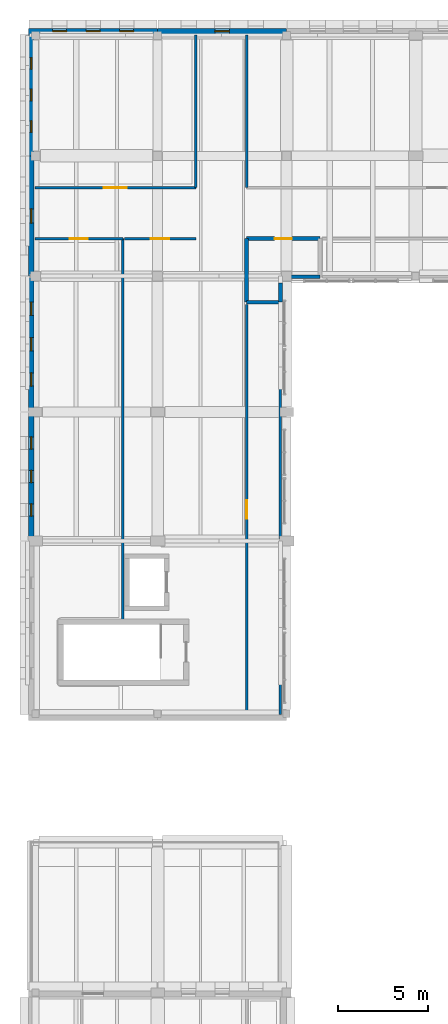
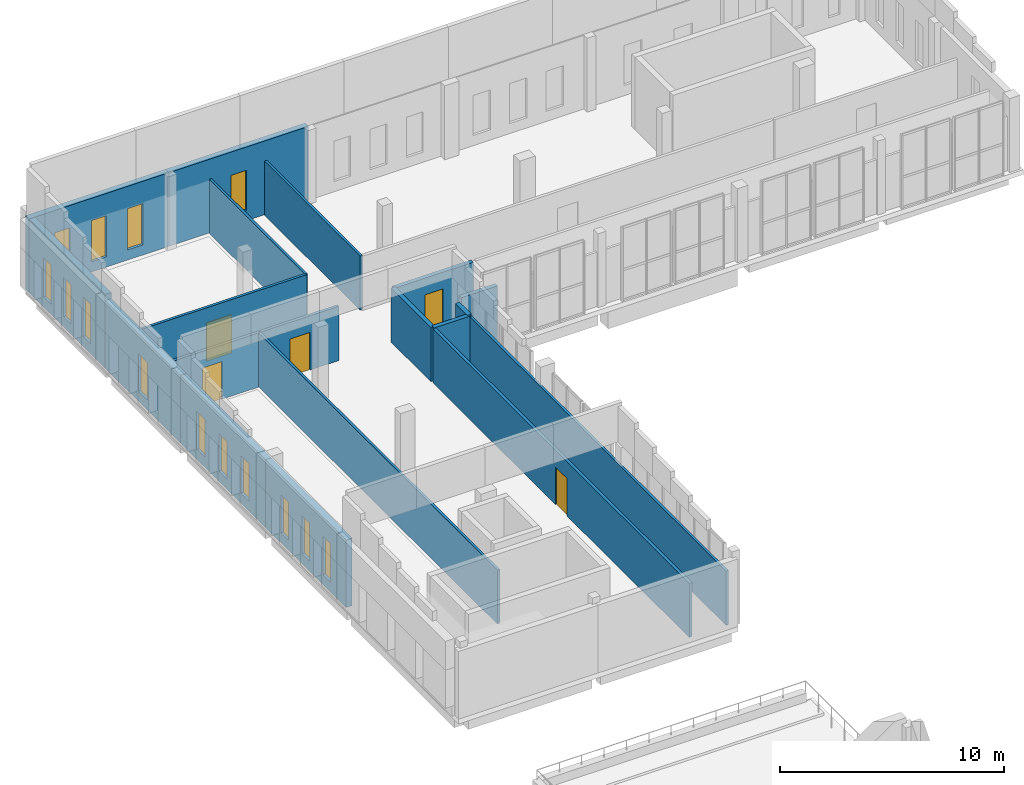
# One storey, part 23 of 34: 19 walls, 14 windows, 5 doors, 19 openings.
"""IFC4 building model written with IfcOpenShell, lengths in metres."""

from ifc_helpers import new_model, si_unit, direction, frame, frame_2d, origin, place, context, subcontext, project, spatial, rectangle, extrude, material, layer, layer_set, type_object, element, fill, save


model = new_model("IFC4")

# Units and contexts
model_context = context("Model", 3, precision=1e-05, world=origin(), true_north=direction((0.0, 1.0)))
body_context = subcontext(model_context, "Body", "Model", "MODEL_VIEW")
ifc_project = project(units=[si_unit("LENGTHUNIT", "METRE"), si_unit("AREAUNIT", "SQUARE_METRE"), si_unit("VOLUMEUNIT", "CUBIC_METRE"), si_unit("PLANEANGLEUNIT", "RADIAN"), si_unit("MASSUNIT", "GRAM", prefix="KILO")], contexts=[model_context])

# Site, building, storey
site_placement = place(None, origin())
site = spatial("IfcSite", under=ifc_project, at=site_placement, CompositionType="ELEMENT")
building_placement = place(site_placement, origin())
building = spatial("IfcBuilding", under=site, at=building_placement, Name="Vardoun Plaza Health Centre", CompositionType="ELEMENT")
storey_placement = place(building_placement, frame((0.0, 0.0, 12.89990234375)))
storey = spatial("IfcBuildingStorey", under=building, at=storey_placement, Name="L03", CompositionType="ELEMENT", Elevation=12.89990234375)

# Wall, openings, windows
ifc_material_1 = material(Name="Pale Limestone Concrete C35/45", Category="masonry")
ifc_layer_1 = layer(ifc_material_1, 0.31494140625)
ifc_layer_set_1 = layer_set([ifc_layer_1], Name="Pale Limestone Concrete C35/45")
wall_type_1 = type_object("IfcWallType", Name="EW-03", PredefinedType="SOLIDWALL", material=ifc_layer_set_1)
wall_1_placement = place(storey_placement, frame((4.5, 115.142578125, 0.0), z_axis=(0.0, 0.0, 1.0), x_axis=(1.0, 0.0, 0.0)))
wall_1 = element("IfcWall", 1, at=wall_1_placement, inside=storey, type_object=wall_type_1, Name="V3 L03 Exterior Wall EW-V3-289", PredefinedType="SOLIDWALL", context=body_context, shape_type="SweptSolid", body=[
    extrude(rectangle(XDim=7.199951171875, YDim=0.31494140625, at=frame_2d((3.60009765625, 0.0))), origin(), (0.0, 0.0, 1.0), 4.01513671875),
])
opening_1_placement = place(wall_1_placement, frame((1.337890625, 0.0, 0.550048828125)))
opening_1 = element("IfcOpeningElement", 2, at=opening_1_placement, cuts=wall_1, Name="Opening W-06-010", PredefinedType="OPENING", context=body_context, shape_type="SweptSolid", body=[
    extrude(rectangle(XDim=0.780029296875, YDim=2.25, at=frame_2d((0.39013671875, 1.125))), frame((0.0, 0.157470703125, 0.0), z_axis=(0.0, -1.0, 0.0), x_axis=(1.0, 0.0, 0.0)), (0.0, 0.0, 1.0), 0.31494140625),
])
opening_2_placement = place(wall_1_placement, frame((3.2099609375, 0.0, 0.550048828125)))
opening_2 = element("IfcOpeningElement", 3, at=opening_2_placement, cuts=wall_1, Name="Opening W-06-011", PredefinedType="OPENING", context=body_context, shape_type="SweptSolid", body=[
    extrude(rectangle(XDim=0.780029296875, YDim=2.25, at=frame_2d((0.39013671875, 1.125))), frame((0.0, 0.157470703125, 0.0), z_axis=(0.0, -1.0, 0.0), x_axis=(1.0, 0.0, 0.0)), (0.0, 0.0, 1.0), 0.31494140625),
])
opening_3_placement = place(wall_1_placement, frame((5.08203125, 0.0, 0.550048828125)))
opening_3 = element("IfcOpeningElement", 4, at=opening_3_placement, cuts=wall_1, Name="Opening W-06-012", PredefinedType="OPENING", context=body_context, shape_type="SweptSolid", body=[
    extrude(rectangle(XDim=0.780029296875, YDim=2.25, at=frame_2d((0.39013671875, 1.125))), frame((0.0, 0.157470703125, 0.0), z_axis=(0.0, -1.0, 0.0), x_axis=(1.0, 0.0, 0.0)), (0.0, 0.0, 1.0), 0.31494140625),
])
ifc_material_2 = material(Name="Aluminium Alloy EN AW-6063-T6 and Low-E Glass", Category="aluminium")
window_type_1 = type_object("IfcWindowType", Name="W-06", PartitioningType="SINGLE_PANEL", PredefinedType="WINDOW", material=ifc_material_2)
window_1_placement = place(opening_1_placement, origin())
window_1 = element("IfcWindow", 5, at=window_1_placement, inside=storey, type_object=window_type_1, Name="V3 L03 Deep-Punched Slot Window W-06-464", OverallHeight=2.25, OverallWidth=0.780029296875, PartitioningType="SINGLE_PANEL", PredefinedType="WINDOW", context=body_context, shape_type="SweptSolid", body=[
    extrude(rectangle(XDim=0.780029296875, YDim=2.25, at=frame_2d((0.39013671875, 1.125))), frame((0.0, 0.030029296875, 0.0), z_axis=(0.0, -1.0, 0.0), x_axis=(1.0, 0.0, 0.0)), (0.0, 0.0, 1.0), 0.06005859375),
])
fill(opening_1, window_1)
window_2_placement = place(opening_2_placement, origin())
window_2 = element("IfcWindow", 6, at=window_2_placement, inside=storey, type_object=window_type_1, Name="V3 L03 Deep-Punched Slot Window W-06-465", OverallHeight=2.25, OverallWidth=0.780029296875, PartitioningType="SINGLE_PANEL", PredefinedType="WINDOW", context=body_context, shape_type="SweptSolid", body=[
    extrude(rectangle(XDim=0.780029296875, YDim=2.25, at=frame_2d((0.39013671875, 1.125))), frame((0.0, 0.030029296875, 0.0), z_axis=(0.0, -1.0, 0.0), x_axis=(1.0, 0.0, 0.0)), (0.0, 0.0, 1.0), 0.06005859375),
])
fill(opening_2, window_2)
window_3_placement = place(opening_3_placement, origin())
window_3 = element("IfcWindow", 7, at=window_3_placement, inside=storey, type_object=window_type_1, Name="V3 L03 Deep-Punched Slot Window W-06-466", OverallHeight=2.25, OverallWidth=0.780029296875, PartitioningType="SINGLE_PANEL", PredefinedType="WINDOW", context=body_context, shape_type="SweptSolid", body=[
    extrude(rectangle(XDim=0.780029296875, YDim=2.25, at=frame_2d((0.39013671875, 1.125))), frame((0.0, 0.030029296875, 0.0), z_axis=(0.0, -1.0, 0.0), x_axis=(1.0, 0.0, 0.0)), (0.0, 0.0, 1.0), 0.06005859375),
])
fill(opening_3, window_3)

# Wall, opening, window
wall_2_placement = place(storey_placement, frame((11.699951171875, 115.142578125, 0.0), z_axis=(0.0, 0.0, 1.0), x_axis=(1.0, 0.0, 0.0)))
wall_2 = element("IfcWall", 8, at=wall_2_placement, inside=storey, type_object=wall_type_1, Name="V3 L03 Exterior Wall EW-V3-290", PredefinedType="SOLIDWALL", context=body_context, shape_type="SweptSolid", body=[
    extrude(rectangle(XDim=7.199951171875, YDim=0.31494140625, at=frame_2d((3.60009765625, 0.0))), origin(), (0.0, 0.0, 1.0), 4.01513671875),
])
opening_4_placement = place(wall_2_placement, frame((3.18994140625, 0.0, 0.550048828125)))
opening_4 = element("IfcOpeningElement", 9, at=opening_4_placement, cuts=wall_2, Name="Opening W-07-016", PredefinedType="OPENING", context=body_context, shape_type="SweptSolid", body=[
    extrude(rectangle(XDim=0.820068359375, YDim=2.199951171875, at=frame_2d((0.41015625, 1.10009765625))), frame((0.0, 0.157470703125, 0.0), z_axis=(0.0, -1.0, 0.0), x_axis=(1.0, 0.0, 0.0)), (0.0, 0.0, 1.0), 0.31494140625),
])
ifc_material_3 = material(Name="Aluminium Alloy EN AW-6063-T6 and Low-E Glass", Category="aluminium")
window_type_2 = type_object("IfcWindowType", Name="W-07", PartitioningType="SINGLE_PANEL", PredefinedType="WINDOW", material=ifc_material_3)
window_4_placement = place(opening_4_placement, origin())
window_4 = element("IfcWindow", 10, at=window_4_placement, inside=storey, type_object=window_type_2, Name="V3 L03 Deep-Punched Slot Window W-07-468", OverallHeight=2.199951171875, OverallWidth=0.820068359375, PartitioningType="SINGLE_PANEL", PredefinedType="WINDOW", context=body_context, shape_type="SweptSolid", body=[
    extrude(rectangle(XDim=0.820068359375, YDim=2.199951171875, at=frame_2d((0.41015625, 1.10009765625))), frame((0.0, 0.030029296875, 0.0), z_axis=(0.0, -1.0, 0.0), x_axis=(1.0, 0.0, 0.0)), (0.0, 0.0, 1.0), 0.06005859375),
])
fill(opening_4, window_4)

# Wall, openings, windows
wall_3_placement = place(storey_placement, frame((4.657470703125, 86.699951171875, 0.0), z_axis=(0.0, 0.0, 1.0), x_axis=(0.0, 1.0, 0.0)))
wall_3 = element("IfcWall", 11, at=wall_3_placement, inside=storey, type_object=wall_type_1, Name="V3 L03 Exterior Wall EW-V3-300", PredefinedType="SOLIDWALL", context=body_context, shape_type="SweptSolid", body=[
    extrude(rectangle(XDim=7.199951171875, YDim=0.31494140625, at=frame_2d((3.60009765625, 0.0))), origin(), (0.0, 0.0, 1.0), 3.686279296875),
])
opening_5_placement = place(wall_3_placement, frame((1.387939453125, 0.0, 0.550048828125)))
opening_5 = element("IfcOpeningElement", 12, at=opening_5_placement, cuts=wall_3, Name="Opening W-22-005", PredefinedType="OPENING", context=body_context, shape_type="SweptSolid", body=[
    extrude(rectangle(XDim=0.679931640625, YDim=2.080078125, at=frame_2d((0.33984375, 1.0400390625))), frame((0.0, 0.157470703125, 0.0), z_axis=(0.0, -1.0, 0.0), x_axis=(1.0, 0.0, 0.0)), (0.0, 0.0, 1.0), 0.31494140625),
])
opening_6_placement = place(wall_3_placement, frame((3.260009765625, 0.0, 0.550048828125)))
opening_6 = element("IfcOpeningElement", 13, at=opening_6_placement, cuts=wall_3, Name="Opening W-22-006", PredefinedType="OPENING", context=body_context, shape_type="SweptSolid", body=[
    extrude(rectangle(XDim=0.679931640625, YDim=2.080078125, at=frame_2d((0.33984375, 1.0400390625))), frame((0.0, 0.157470703125, 0.0), z_axis=(0.0, -1.0, 0.0), x_axis=(1.0, 0.0, 0.0)), (0.0, 0.0, 1.0), 0.31494140625),
])
opening_7_placement = place(wall_3_placement, frame((5.132080078125, 0.0, 0.550048828125)))
opening_7 = element("IfcOpeningElement", 14, at=opening_7_placement, cuts=wall_3, Name="Opening W-22-007", PredefinedType="OPENING", context=body_context, shape_type="SweptSolid", body=[
    extrude(rectangle(XDim=0.679931640625, YDim=2.080078125, at=frame_2d((0.33984375, 1.0400390625))), frame((0.0, 0.157470703125, 0.0), z_axis=(0.0, -1.0, 0.0), x_axis=(1.0, 0.0, 0.0)), (0.0, 0.0, 1.0), 0.31494140625),
])
ifc_material_4 = material(Name="Aluminium Alloy EN AW-6063-T6 and Low-E Glass", Category="aluminium")
window_type_3 = type_object("IfcWindowType", Name="W-22", PartitioningType="SINGLE_PANEL", PredefinedType="WINDOW", material=ifc_material_4)
window_5_placement = place(opening_5_placement, origin())
window_5 = element("IfcWindow", 15, at=window_5_placement, inside=storey, type_object=window_type_3, Name="V3 L03 Deep-Punched Slot Window W-22-490", OverallHeight=2.080078125, OverallWidth=0.679931640625, PartitioningType="SINGLE_PANEL", PredefinedType="WINDOW", context=body_context, shape_type="SweptSolid", body=[
    extrude(rectangle(XDim=0.679931640625, YDim=2.080078125, at=frame_2d((0.33984375, 1.0400390625))), frame((0.0, 0.030029296875, 0.0), z_axis=(0.0, -1.0, 0.0), x_axis=(1.0, 0.0, 0.0)), (0.0, 0.0, 1.0), 0.06005859375),
])
fill(opening_5, window_5)
window_6_placement = place(opening_6_placement, origin())
window_6 = element("IfcWindow", 16, at=window_6_placement, inside=storey, type_object=window_type_3, Name="V3 L03 Deep-Punched Slot Window W-22-491", OverallHeight=2.080078125, OverallWidth=0.679931640625, PartitioningType="SINGLE_PANEL", PredefinedType="WINDOW", context=body_context, shape_type="SweptSolid", body=[
    extrude(rectangle(XDim=0.679931640625, YDim=2.080078125, at=frame_2d((0.33984375, 1.0400390625))), frame((0.0, 0.030029296875, 0.0), z_axis=(0.0, -1.0, 0.0), x_axis=(1.0, 0.0, 0.0)), (0.0, 0.0, 1.0), 0.06005859375),
])
fill(opening_6, window_6)
window_7_placement = place(opening_7_placement, origin())
window_7 = element("IfcWindow", 17, at=window_7_placement, inside=storey, type_object=window_type_3, Name="V3 L03 Deep-Punched Slot Window W-22-492", OverallHeight=2.080078125, OverallWidth=0.679931640625, PartitioningType="SINGLE_PANEL", PredefinedType="WINDOW", context=body_context, shape_type="SweptSolid", body=[
    extrude(rectangle(XDim=0.679931640625, YDim=2.080078125, at=frame_2d((0.33984375, 1.0400390625))), frame((0.0, 0.030029296875, 0.0), z_axis=(0.0, -1.0, 0.0), x_axis=(1.0, 0.0, 0.0)), (0.0, 0.0, 1.0), 0.06005859375),
])
fill(opening_7, window_7)

wall_4_placement = place(storey_placement, frame((4.657470703125, 93.89990234375, 0.0), z_axis=(0.0, 0.0, 1.0), x_axis=(0.0, 1.0, 0.0)))
wall_4 = element("IfcWall", 18, at=wall_4_placement, inside=storey, type_object=wall_type_1, Name="V3 L03 Exterior Wall EW-V3-301", PredefinedType="SOLIDWALL", context=body_context, shape_type="SweptSolid", body=[
    extrude(rectangle(XDim=7.580078125, YDim=0.31494140625, at=frame_2d((3.7900390625, 0.0))), origin(), (0.0, 0.0, 1.0), 3.686279296875),
])
opening_8_placement = place(wall_4_placement, frame((1.44921875, 0.0, 0.550048828125)))
opening_8 = element("IfcOpeningElement", 19, at=opening_8_placement, cuts=wall_4, Name="Opening W-23-005", PredefinedType="OPENING", context=body_context, shape_type="SweptSolid", body=[
    extrude(rectangle(XDim=0.739990234375, YDim=2.0400390625, at=frame_2d((0.3701171875, 1.02001953125))), frame((0.0, 0.157470703125, 0.0), z_axis=(0.0, -1.0, 0.0), x_axis=(1.0, 0.0, 0.0)), (0.0, 0.0, 1.0), 0.31494140625),
])
opening_9_placement = place(wall_4_placement, frame((3.419921875, 0.0, 0.550048828125)))
opening_9 = element("IfcOpeningElement", 20, at=opening_9_placement, cuts=wall_4, Name="Opening W-23-006", PredefinedType="OPENING", context=body_context, shape_type="SweptSolid", body=[
    extrude(rectangle(XDim=0.739990234375, YDim=2.0400390625, at=frame_2d((0.3701171875, 1.02001953125))), frame((0.0, 0.157470703125, 0.0), z_axis=(0.0, -1.0, 0.0), x_axis=(1.0, 0.0, 0.0)), (0.0, 0.0, 1.0), 0.31494140625),
])
opening_10_placement = place(wall_4_placement, frame((5.390869140625, 0.0, 0.550048828125)))
opening_10 = element("IfcOpeningElement", 21, at=opening_10_placement, cuts=wall_4, Name="Opening W-23-007", PredefinedType="OPENING", context=body_context, shape_type="SweptSolid", body=[
    extrude(rectangle(XDim=0.739990234375, YDim=2.0400390625, at=frame_2d((0.3701171875, 1.02001953125))), frame((0.0, 0.157470703125, 0.0), z_axis=(0.0, -1.0, 0.0), x_axis=(1.0, 0.0, 0.0)), (0.0, 0.0, 1.0), 0.31494140625),
])
ifc_material_5 = material(Name="Aluminium Alloy EN AW-6063-T6 and Low-E Glass", Category="aluminium")
window_type_4 = type_object("IfcWindowType", Name="W-23", PartitioningType="SINGLE_PANEL", PredefinedType="WINDOW", material=ifc_material_5)
window_8_placement = place(opening_8_placement, origin())
window_8 = element("IfcWindow", 22, at=window_8_placement, inside=storey, type_object=window_type_4, Name="V3 L03 Deep-Punched Slot Window W-23-493", OverallHeight=2.0400390625, OverallWidth=0.739990234375, PartitioningType="SINGLE_PANEL", PredefinedType="WINDOW", context=body_context, shape_type="SweptSolid", body=[
    extrude(rectangle(XDim=0.739990234375, YDim=2.0400390625, at=frame_2d((0.3701171875, 1.02001953125))), frame((0.0, 0.030029296875, 0.0), z_axis=(0.0, -1.0, 0.0), x_axis=(1.0, 0.0, 0.0)), (0.0, 0.0, 1.0), 0.06005859375),
])
fill(opening_8, window_8)
window_9_placement = place(opening_9_placement, origin())
window_9 = element("IfcWindow", 23, at=window_9_placement, inside=storey, type_object=window_type_4, Name="V3 L03 Deep-Punched Slot Window W-23-494", OverallHeight=2.0400390625, OverallWidth=0.739990234375, PartitioningType="SINGLE_PANEL", PredefinedType="WINDOW", context=body_context, shape_type="SweptSolid", body=[
    extrude(rectangle(XDim=0.739990234375, YDim=2.0400390625, at=frame_2d((0.3701171875, 1.02001953125))), frame((0.0, 0.030029296875, 0.0), z_axis=(0.0, -1.0, 0.0), x_axis=(1.0, 0.0, 0.0)), (0.0, 0.0, 1.0), 0.06005859375),
])
fill(opening_9, window_9)
window_10_placement = place(opening_10_placement, origin())
window_10 = element("IfcWindow", 24, at=window_10_placement, inside=storey, type_object=window_type_4, Name="V3 L03 Deep-Punched Slot Window W-23-495", OverallHeight=2.0400390625, OverallWidth=0.739990234375, PartitioningType="SINGLE_PANEL", PredefinedType="WINDOW", context=body_context, shape_type="SweptSolid", body=[
    extrude(rectangle(XDim=0.739990234375, YDim=2.0400390625, at=frame_2d((0.3701171875, 1.02001953125))), frame((0.0, 0.030029296875, 0.0), z_axis=(0.0, -1.0, 0.0), x_axis=(1.0, 0.0, 0.0)), (0.0, 0.0, 1.0), 0.06005859375),
])
fill(opening_10, window_10)

# Wall, opening, window
wall_5_placement = place(storey_placement, frame((4.657470703125, 101.47998046875, 0.0), z_axis=(0.0, 0.0, 1.0), x_axis=(0.0, 1.0, 0.0)))
wall_5 = element("IfcWall", 25, at=wall_5_placement, inside=storey, type_object=wall_type_1, Name="V3 L03 Exterior Wall EW-V3-302", PredefinedType="SOLIDWALL", context=body_context, shape_type="SweptSolid", body=[
    extrude(rectangle(XDim=6.719970703125, YDim=0.31494140625, at=frame_2d((3.35986328125, 0.0))), origin(), (0.0, 0.0, 1.0), 3.6865234375),
])
opening_11_placement = place(wall_5_placement, frame((2.9599609375, 0.0, 0.550048828125)))
opening_11 = element("IfcOpeningElement", 26, at=opening_11_placement, cuts=wall_5, Name="Opening W-24-006", PredefinedType="OPENING", context=body_context, shape_type="SweptSolid", body=[
    extrude(rectangle(XDim=0.800048828125, YDim=2.0400390625, at=frame_2d((0.39990234375, 1.02001953125))), frame((0.0, 0.157470703125, 0.0), z_axis=(0.0, -1.0, 0.0), x_axis=(1.0, 0.0, 0.0)), (0.0, 0.0, 1.0), 0.31494140625),
])
ifc_material_6 = material(Name="Aluminium Alloy EN AW-6063-T6 and Low-E Glass", Category="aluminium")
window_type_5 = type_object("IfcWindowType", Name="W-24", PartitioningType="SINGLE_PANEL", PredefinedType="WINDOW", material=ifc_material_6)
window_11_placement = place(opening_11_placement, origin())
window_11 = element("IfcWindow", 27, at=window_11_placement, inside=storey, type_object=window_type_5, Name="V3 L03 Deep-Punched Slot Window W-24-497", OverallHeight=2.0400390625, OverallWidth=0.800048828125, PartitioningType="SINGLE_PANEL", PredefinedType="WINDOW", context=body_context, shape_type="SweptSolid", body=[
    extrude(rectangle(XDim=0.800048828125, YDim=2.0400390625, at=frame_2d((0.39990234375, 1.02001953125))), frame((0.0, 0.030029296875, 0.0), z_axis=(0.0, -1.0, 0.0), x_axis=(1.0, 0.0, 0.0)), (0.0, 0.0, 1.0), 0.06005859375),
])
fill(opening_11, window_11)

# Wall, openings, windows
wall_6_placement = place(storey_placement, frame((4.657470703125, 108.199951171875, 0.0), z_axis=(0.0, 0.0, 1.0), x_axis=(0.0, 1.0, 0.0)))
wall_6 = element("IfcWall", 28, at=wall_6_placement, inside=storey, type_object=wall_type_1, Name="V3 L03 Exterior Wall EW-V3-303", PredefinedType="SOLIDWALL", context=body_context, shape_type="SweptSolid", body=[
    extrude(rectangle(XDim=6.78515625, YDim=0.31494140625, at=frame_2d((3.392578125, 0.0))), origin(), (0.0, 0.0, 1.0), 4.01513671875),
])
opening_12_placement = place(wall_6_placement, frame((1.303466796875, 0.0, 0.550048828125)))
opening_12 = element("IfcOpeningElement", 29, at=opening_12_placement, cuts=wall_6, Name="Opening W-31-010", PredefinedType="OPENING", context=body_context, shape_type="SweptSolid", body=[
    extrude(rectangle(XDim=0.64990234375, YDim=2.139892578125, at=frame_2d((0.324951171875, 1.06982421875))), frame((0.0, 0.157470703125, 0.0), z_axis=(0.0, -1.0, 0.0), x_axis=(1.0, 0.0, 0.0)), (0.0, 0.0, 1.0), 0.31494140625),
])
opening_13_placement = place(wall_6_placement, frame((3.0673828125, 0.0, 0.550048828125)))
opening_13 = element("IfcOpeningElement", 30, at=opening_13_placement, cuts=wall_6, Name="Opening W-31-011", PredefinedType="OPENING", context=body_context, shape_type="SweptSolid", body=[
    extrude(rectangle(XDim=0.64990234375, YDim=2.139892578125, at=frame_2d((0.324951171875, 1.06982421875))), frame((0.0, 0.157470703125, 0.0), z_axis=(0.0, -1.0, 0.0), x_axis=(1.0, 0.0, 0.0)), (0.0, 0.0, 1.0), 0.31494140625),
])
opening_14_placement = place(wall_6_placement, frame((4.83154296875, 0.0, 0.550048828125)))
opening_14 = element("IfcOpeningElement", 31, at=opening_14_placement, cuts=wall_6, Name="Opening W-31-012", PredefinedType="OPENING", context=body_context, shape_type="SweptSolid", body=[
    extrude(rectangle(XDim=0.64990234375, YDim=2.139892578125, at=frame_2d((0.324951171875, 1.06982421875))), frame((0.0, 0.157470703125, 0.0), z_axis=(0.0, -1.0, 0.0), x_axis=(1.0, 0.0, 0.0)), (0.0, 0.0, 1.0), 0.31494140625),
])
ifc_material_7 = material(Name="Aluminium Alloy EN AW-6063-T6 and Low-E Glass", Category="aluminium")
window_type_6 = type_object("IfcWindowType", Name="W-31", PartitioningType="SINGLE_PANEL", PredefinedType="WINDOW", material=ifc_material_7)
window_12_placement = place(opening_12_placement, origin())
window_12 = element("IfcWindow", 32, at=window_12_placement, inside=storey, type_object=window_type_6, Name="V3 L03 Deep-Punched Slot Window W-31-499", OverallHeight=2.139892578125, OverallWidth=0.64990234375, PartitioningType="SINGLE_PANEL", PredefinedType="WINDOW", context=body_context, shape_type="SweptSolid", body=[
    extrude(rectangle(XDim=0.64990234375, YDim=2.139892578125, at=frame_2d((0.324951171875, 1.06982421875))), frame((0.0, 0.030029296875, 0.0), z_axis=(0.0, -1.0, 0.0), x_axis=(1.0, 0.0, 0.0)), (0.0, 0.0, 1.0), 0.06005859375),
])
fill(opening_12, window_12)
window_13_placement = place(opening_13_placement, origin())
window_13 = element("IfcWindow", 33, at=window_13_placement, inside=storey, type_object=window_type_6, Name="V3 L03 Deep-Punched Slot Window W-31-500", OverallHeight=2.139892578125, OverallWidth=0.64990234375, PartitioningType="SINGLE_PANEL", PredefinedType="WINDOW", context=body_context, shape_type="SweptSolid", body=[
    extrude(rectangle(XDim=0.64990234375, YDim=2.139892578125, at=frame_2d((0.324951171875, 1.06982421875))), frame((0.0, 0.030029296875, 0.0), z_axis=(0.0, -1.0, 0.0), x_axis=(1.0, 0.0, 0.0)), (0.0, 0.0, 1.0), 0.06005859375),
])
fill(opening_13, window_13)
window_14_placement = place(opening_14_placement, origin())
window_14 = element("IfcWindow", 34, at=window_14_placement, inside=storey, type_object=window_type_6, Name="V3 L03 Deep-Punched Slot Window W-31-501", OverallHeight=2.139892578125, OverallWidth=0.64990234375, PartitioningType="SINGLE_PANEL", PredefinedType="WINDOW", context=body_context, shape_type="SweptSolid", body=[
    extrude(rectangle(XDim=0.64990234375, YDim=2.139892578125, at=frame_2d((0.324951171875, 1.06982421875))), frame((0.0, 0.030029296875, 0.0), z_axis=(0.0, -1.0, 0.0), x_axis=(1.0, 0.0, 0.0)), (0.0, 0.0, 1.0), 0.06005859375),
])
fill(opening_14, window_14)

# Wall, opening, door
ifc_material_8 = material(Name="Acoustic Gypsum Twin-Stud", Category="steel")
ifc_layer_2 = layer(ifc_material_8, 0.14990234375)
ifc_layer_set_2 = layer_set([ifc_layer_2], Name="Acoustic Gypsum Twin-Stud")
wall_type_2 = type_object("IfcWallType", Name="IW-04", PredefinedType="PARTITIONING", material=ifc_layer_set_2)
wall_7_placement = place(storey_placement, frame((4.85009765625, 103.580078125, 0.0), z_axis=(0.0, 0.0, 1.0), x_axis=(1.0, 0.0, 0.0)))
wall_7 = element("IfcWall", 35, at=wall_7_placement, inside=storey, type_object=wall_type_2, Name="Maternal-Child Consulting Room 32 Partition Wall", PredefinedType="PARTITIONING", context=body_context, shape_type="SweptSolid", body=[
    extrude(rectangle(XDim=4.909912109375, YDim=0.14990234375, at=frame_2d((2.455078125, 0.0))), origin(), (0.0, 0.0, 1.0), 2.955078125),
])
opening_15_placement = place(wall_7_placement, frame((1.955078125, 0.0, 0.0)))
opening_15 = element("IfcOpeningElement", 36, at=opening_15_placement, cuts=wall_7, Name="Opening D-L03-106", PredefinedType="OPENING", context=body_context, shape_type="SweptSolid", body=[
    extrude(rectangle(XDim=1.0, YDim=2.050048828125, at=frame_2d((0.5, 1.02490234375))), frame((0.0, 0.074951171875, 0.0), z_axis=(0.0, -1.0, 0.0), x_axis=(1.0, 0.0, 0.0)), (0.0, 0.0, 1.0), 0.14990234375),
])
ifc_material_9 = material(Name="Antimicrobial Acoustic Timber and Steel S275JR", Category="steel")
door_type_1 = type_object("IfcDoorType", Name="CD-03", OperationType="NOTDEFINED", PredefinedType="DOOR", material=ifc_material_9)
door_1_placement = place(opening_15_placement, origin())
door_1 = element("IfcDoor", 37, at=door_1_placement, inside=storey, type_object=door_type_1, Name="Maternal-Child Consulting Room 32 Door D-L03-106", OperationType="SINGLE_SWING_RIGHT", OverallHeight=2.050048828125, OverallWidth=1.0, PredefinedType="DOOR", context=body_context, shape_type="SweptSolid", body=[
    extrude(rectangle(XDim=1.0, YDim=2.050048828125, at=frame_2d((0.5, 1.02490234375))), frame((0.0, 0.02490234375, 0.0), z_axis=(0.0, -1.0, 0.0), x_axis=(1.0, 0.0, 0.0)), (0.0, 0.0, 1.0), 0.050048828125),
])
fill(opening_15, door_1)

wall_8_placement = place(storey_placement, frame((9.840087890625, 103.580078125, 0.0), z_axis=(0.0, 0.0, 1.0), x_axis=(1.0, 0.0, 0.0)))
wall_8 = element("IfcWall", 38, at=wall_8_placement, inside=storey, type_object=wall_type_2, Name="Paediatric Developmental Assessment Partition Wall", PredefinedType="PARTITIONING", context=body_context, shape_type="SweptSolid", body=[
    extrude(rectangle(XDim=3.989990234375, YDim=0.14990234375, at=frame_2d((1.9951171875, 0.0))), origin(), (0.0, 0.0, 1.0), 2.955078125),
])
opening_16_placement = place(wall_8_placement, frame((1.47509765625, 0.0, 0.0)))
opening_16 = element("IfcOpeningElement", 39, at=opening_16_placement, cuts=wall_8, Name="Opening D-L03-107", PredefinedType="OPENING", context=body_context, shape_type="SweptSolid", body=[
    extrude(rectangle(XDim=1.0400390625, YDim=2.050048828125, at=frame_2d((0.52001953125, 1.02490234375))), frame((0.0, 0.074951171875, 0.0), z_axis=(0.0, -1.0, 0.0), x_axis=(1.0, 0.0, 0.0)), (0.0, 0.0, 1.0), 0.14990234375),
])
ifc_material_10 = material(Name="Antimicrobial Acoustic Timber and Steel S275JR", Category="steel")
door_type_2 = type_object("IfcDoorType", Name="CD-04", OperationType="NOTDEFINED", PredefinedType="DOOR", material=ifc_material_10)
door_2_placement = place(opening_16_placement, origin())
door_2 = element("IfcDoor", 40, at=door_2_placement, inside=storey, type_object=door_type_2, Name="Paediatric Developmental Assessment Door D-L03-107", OperationType="SINGLE_SWING_LEFT", OverallHeight=2.050048828125, OverallWidth=1.0400390625, PredefinedType="DOOR", context=body_context, shape_type="SweptSolid", body=[
    extrude(rectangle(XDim=1.0400390625, YDim=2.050048828125, at=frame_2d((0.52001953125, 1.02490234375))), frame((0.0, 0.02490234375, 0.0), z_axis=(0.0, -1.0, 0.0), x_axis=(1.0, 0.0, 0.0)), (0.0, 0.0, 1.0), 0.050048828125),
])
fill(opening_16, door_2)

wall_9_placement = place(storey_placement, frame((16.669921875, 77.030029296875, 0.0), z_axis=(0.0, 0.0, 1.0), x_axis=(0.0, 1.0, 0.0)))
wall_9 = element("IfcWall", 41, at=wall_9_placement, inside=storey, type_object=wall_type_2, Name="Maternal-Child Consulting Room 32 B Partition Wall", PredefinedType="PARTITIONING", context=body_context, shape_type="SweptSolid", body=[
    extrude(rectangle(XDim=22.859130859375, YDim=0.14990234375, at=frame_2d((11.4296875, 0.0))), origin(), (0.0, 0.0, 1.0), 2.955078125),
])
opening_17_placement = place(wall_9_placement, frame((10.909423828125, 0.0, 0.0)))
opening_17 = element("IfcOpeningElement", 42, at=opening_17_placement, cuts=wall_9, Name="Opening D-L03-111", PredefinedType="OPENING", context=body_context, shape_type="SweptSolid", body=[
    extrude(rectangle(XDim=1.0400390625, YDim=2.050048828125, at=frame_2d((0.52001953125, 1.02490234375))), frame((0.0, 0.074951171875, 0.0), z_axis=(0.0, -1.0, 0.0), x_axis=(1.0, 0.0, 0.0)), (0.0, 0.0, 1.0), 0.14990234375),
])
door_3_placement = place(opening_17_placement, origin())
door_3 = element("IfcDoor", 43, at=door_3_placement, inside=storey, type_object=door_type_2, Name="Maternal-Child Consulting Room 32 B Door D-L03-111", OperationType="SINGLE_SWING_LEFT", OverallHeight=2.050048828125, OverallWidth=1.0400390625, PredefinedType="DOOR", context=body_context, shape_type="SweptSolid", body=[
    extrude(rectangle(XDim=1.0400390625, YDim=2.050048828125, at=frame_2d((0.52001953125, 1.02490234375))), frame((0.0, 0.02490234375, 0.0), z_axis=(0.0, -1.0, 0.0), x_axis=(1.0, 0.0, 0.0)), (0.0, 0.0, 1.0), 0.050048828125),
])
fill(opening_17, door_3)

# Walls
ifc_material_11 = material(Name="Standard Clinical Sub-Partition", Category="steel")
ifc_layer_3 = layer(ifc_material_11, 0.125)
ifc_layer_set_3 = layer_set([ifc_layer_3], Name="Standard Clinical Sub-Partition")
wall_type_3 = type_object("IfcWallType", Name="IW-11", PredefinedType="PARTITIONING", material=ifc_layer_set_3)
wall_10_placement = place(storey_placement, frame((16.669921875, 106.419921875, 0.0), z_axis=(0.0, 0.0, 1.0), x_axis=(0.0, 1.0, 0.0)))
element("IfcWall", 44, at=wall_10_placement, inside=storey, type_object=wall_type_3, Name="Maternal-Child Consulting Room 31 Enclosure Partition", PredefinedType="PARTITIONING", context=body_context, shape_type="SweptSolid", body=[
    extrude(rectangle(XDim=8.530029296875, YDim=0.125, at=frame_2d((4.26513671875, 0.0))), origin(), (0.0, 0.0, 1.0), 2.955078125),
])
wall_11_placement = place(storey_placement, frame((9.760009765625, 103.580078125, 0.0), z_axis=(0.0, 0.0, 1.0), x_axis=(0.0, -1.0, 0.0)))
element("IfcWall", 45, at=wall_11_placement, inside=storey, type_object=wall_type_3, Name="Maternal-Child Consulting Room 32 Enclosure Partition", PredefinedType="PARTITIONING", context=body_context, shape_type="SweptSolid", body=[
    extrude(rectangle(XDim=21.380126953125, YDim=0.125, at=frame_2d((10.68994140625, 0.0))), origin(), (0.0, 0.0, 1.0), 2.955078125),
])
wall_12_placement = place(storey_placement, frame((13.830078125, 114.949951171875, 0.0), z_axis=(0.0, 0.0, 1.0), x_axis=(0.0, -1.0, 0.0)))
element("IfcWall", 46, at=wall_12_placement, inside=storey, type_object=wall_type_3, Name="Parent Education Room Enclosure Partition", PredefinedType="PARTITIONING", context=body_context, shape_type="SweptSolid", body=[
    extrude(rectangle(XDim=8.530029296875, YDim=0.125, at=frame_2d((4.26513671875, 0.0))), origin(), (0.0, 0.0, 1.0), 2.955078125),
])
wall_13_placement = place(storey_placement, frame((18.550048828125, 99.88916015625, 0.0), z_axis=(0.0, 0.0, 1.0), x_axis=(0.0, -1.0, 0.0)))
element("IfcWall", 47, at=wall_13_placement, inside=storey, type_object=wall_type_3, Name="Maternal-Child Consulting Room 32 B Enclosure Partition", PredefinedType="PARTITIONING", context=body_context, shape_type="SweptSolid", body=[
    extrude(rectangle(XDim=22.859130859375, YDim=0.125, at=frame_2d((11.4296875, 0.0))), origin(), (0.0, 0.0, 1.0), 2.955078125),
])

# Wall, opening, door
ifc_material_12 = material(Name="Acoustic Demountable Seminar Wall", Category="steel")
ifc_layer_4 = layer(ifc_material_12, 0.135009765625)
ifc_layer_set_4 = layer_set([ifc_layer_4], Name="Acoustic Demountable Seminar Wall")
wall_type_4 = type_object("IfcWallType", Name="IW-07", PredefinedType="MOVABLE", material=ifc_layer_set_4)
wall_14_placement = place(storey_placement, frame((13.830078125, 106.419921875, 0.0), z_axis=(0.0, 0.0, 1.0), x_axis=(-1.0, 0.0, 0.0)))
wall_14 = element("IfcWall", 48, at=wall_14_placement, inside=storey, type_object=wall_type_4, Name="Parent Education Room Partition Wall", PredefinedType="MOVABLE", context=body_context, shape_type="SweptSolid", body=[
    extrude(rectangle(XDim=8.97998046875, YDim=0.135009765625, at=frame_2d((4.489990234375, 0.0))), origin(), (0.0, 0.0, 1.0), 2.955078125),
])
opening_18_placement = place(wall_14_placement, frame((3.840087890625, 0.0, 0.0)))
opening_18 = element("IfcOpeningElement", 49, at=opening_18_placement, cuts=wall_14, Name="Opening D-L03-108", PredefinedType="OPENING", context=body_context, shape_type="SweptSolid", body=[
    extrude(rectangle(XDim=1.300048828125, YDim=2.10009765625, at=frame_2d((0.64990234375, 1.050048828125))), frame((0.0, 0.0673828125, 0.0), z_axis=(0.0, -1.0, 0.0), x_axis=(1.0, 0.0, 0.0)), (0.0, 0.0, 1.0), 0.135009765625),
])
ifc_material_13 = material(Name="Antimicrobial Acoustic Timber and Steel S275JR", Category="steel")
door_type_3 = type_object("IfcDoorType", Name="CD-09", OperationType="NOTDEFINED", PredefinedType="DOOR", material=ifc_material_13)
door_4_placement = place(opening_18_placement, origin())
door_4 = element("IfcDoor", 50, at=door_4_placement, inside=storey, type_object=door_type_3, Name="Parent Education Room Door D-L03-108", OperationType="SINGLE_SWING_RIGHT", OverallHeight=2.10009765625, OverallWidth=1.300048828125, PredefinedType="DOOR", context=body_context, shape_type="SweptSolid", body=[
    extrude(rectangle(XDim=1.300048828125, YDim=2.10009765625, at=frame_2d((0.64990234375, 1.050048828125))), frame((0.0, 0.02490234375, 0.0), z_axis=(0.0, -1.0, 0.0), x_axis=(1.0, 0.0, 0.0)), (0.0, 0.0, 1.0), 0.050048828125),
])
fill(opening_18, door_4)

ifc_material_14 = material(Name="Moisture-Resistant Plumbing Chase", Category="steel")
ifc_layer_5 = layer(ifc_material_14, 0.215087890625)
ifc_layer_set_5 = layer_set([ifc_layer_5], Name="Moisture-Resistant Plumbing Chase")
wall_type_5 = type_object("IfcWallType", Name="IW-06", PredefinedType="PLUMBINGWALL", material=ifc_layer_set_5)
wall_15_placement = place(storey_placement, frame((16.669921875, 103.580078125, 0.0), z_axis=(0.0, 0.0, 1.0), x_axis=(1.0, 0.0, 0.0)))
wall_15 = element("IfcWall", 51, at=wall_15_placement, inside=storey, type_object=wall_type_5, Name="Accessible WC L03-V3 Partition Wall", PredefinedType="PLUMBINGWALL", context=body_context, shape_type="SweptSolid", body=[
    extrude(rectangle(XDim=4.08349609375, YDim=0.215087890625, at=frame_2d((2.041748046875, 0.0))), origin(), (0.0, 0.0, 1.0), 2.955078125),
])
opening_19_placement = place(wall_15_placement, frame((1.566650390625, 0.0, 0.0)))
opening_19 = element("IfcOpeningElement", 52, at=opening_19_placement, cuts=wall_15, Name="Opening D-L03-104", PredefinedType="OPENING", context=body_context, shape_type="SweptSolid", body=[
    extrude(rectangle(XDim=0.949951171875, YDim=2.050048828125, at=frame_2d((0.47509765625, 1.02490234375))), frame((0.0, 0.107421875, 0.0), z_axis=(0.0, -1.0, 0.0), x_axis=(1.0, 0.0, 0.0)), (0.0, 0.0, 1.0), 0.215087890625),
])
ifc_material_15 = material(Name="Antimicrobial Acoustic Timber and Steel S275JR", Category="steel")
door_type_4 = type_object("IfcDoorType", Name="CD-07", OperationType="NOTDEFINED", PredefinedType="DOOR", material=ifc_material_15)
door_5_placement = place(opening_19_placement, origin())
door_5 = element("IfcDoor", 53, at=door_5_placement, inside=storey, type_object=door_type_4, Name="Accessible WC L03-V3 Door D-L03-104", OperationType="SINGLE_SWING_RIGHT", OverallHeight=2.050048828125, OverallWidth=0.949951171875, PredefinedType="DOOR", context=body_context, shape_type="SweptSolid", body=[
    extrude(rectangle(XDim=0.949951171875, YDim=2.050048828125, at=frame_2d((0.47509765625, 1.02490234375))), frame((0.0, 0.02490234375, 0.0), z_axis=(0.0, -1.0, 0.0), x_axis=(1.0, 0.0, 0.0)), (0.0, 0.0, 1.0), 0.050048828125),
])
fill(opening_19, door_5)

# Walls
wall_16_placement = place(storey_placement, frame((18.550048828125, 101.10009765625, 0.0), z_axis=(0.0, 0.0, 1.0), x_axis=(0.0, -1.0, 0.0)))
element("IfcWall", 54, at=wall_16_placement, inside=storey, type_object=wall_type_5, Name="Accessible WC L03-V3 Enclosure Partition", PredefinedType="PLUMBINGWALL", context=body_context, shape_type="SweptSolid", body=[
    extrude(rectangle(XDim=1.071044921875, YDim=0.215087890625, at=frame_2d((0.53564453125, 0.0))), origin(), (0.0, 0.0, 1.0), 2.955078125),
])
wall_17_placement = place(storey_placement, frame((18.550048828125, 100.029052734375, 0.0), z_axis=(0.0, 0.0, 1.0), x_axis=(-1.0, 0.0, 0.0)))
element("IfcWall", 55, at=wall_17_placement, inside=storey, type_object=wall_type_5, Name="Accessible WC L03-V3 Enclosure Partition", PredefinedType="PLUMBINGWALL", context=body_context, shape_type="SweptSolid", body=[
    extrude(rectangle(XDim=1.880126953125, YDim=0.215087890625, at=frame_2d((0.93994140625, 0.0))), origin(), (0.0, 0.0, 1.0), 2.955078125),
])
wall_18_placement = place(storey_placement, frame((16.669921875, 100.029052734375, 0.0), z_axis=(0.0, 0.0, 1.0), x_axis=(0.0, 1.0, 0.0)))
element("IfcWall", 56, at=wall_18_placement, inside=storey, type_object=wall_type_5, Name="Accessible WC L03-V3 Enclosure Partition", PredefinedType="PLUMBINGWALL", context=body_context, shape_type="SweptSolid", body=[
    extrude(rectangle(XDim=3.551025390625, YDim=0.215087890625, at=frame_2d((1.775390625, 0.0))), origin(), (0.0, 0.0, 1.0), 2.955078125),
])
wall_19_placement = place(storey_placement, frame((20.75341796875, 101.449951171875, 0.0), z_axis=(0.0, 0.0, 1.0), x_axis=(-1.0, 0.0, 0.0)))
element("IfcWall", 57, at=wall_19_placement, inside=storey, type_object=wall_type_5, Name="Accessible WC L03-V3 Enclosure Partition", PredefinedType="PLUMBINGWALL", context=body_context, shape_type="SweptSolid", body=[
    extrude(rectangle(XDim=1.853515625, YDim=0.215087890625, at=frame_2d((0.9267578125, 0.0))), origin(), (0.0, 0.0, 1.0), 2.955078125),
])

save(model, "model.ifc")
